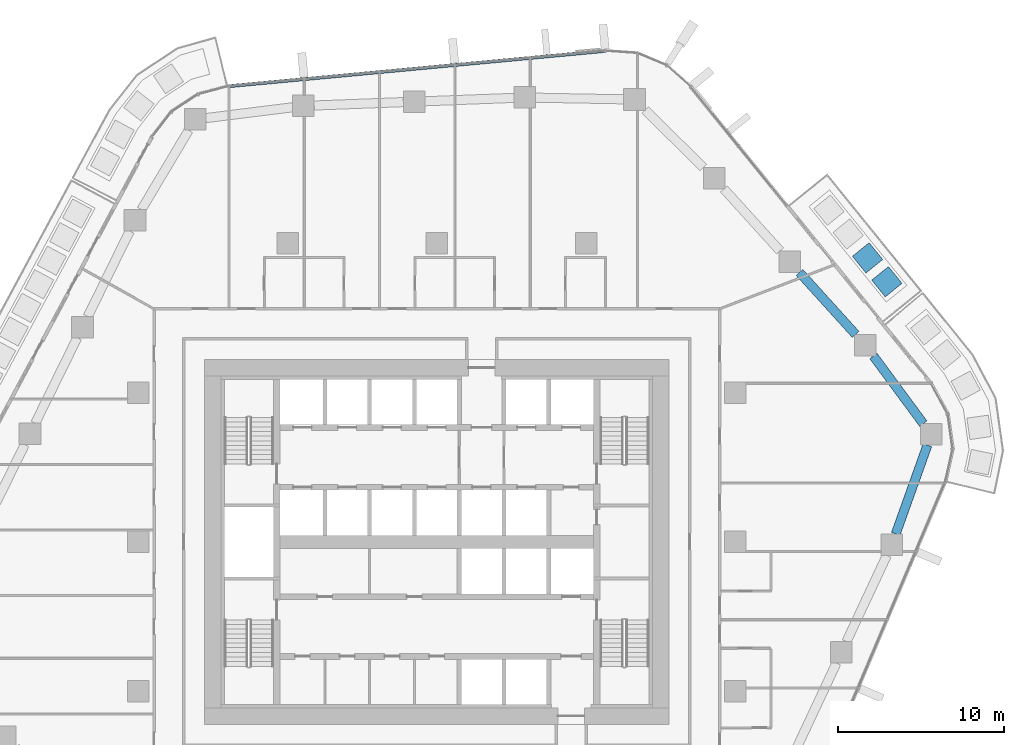
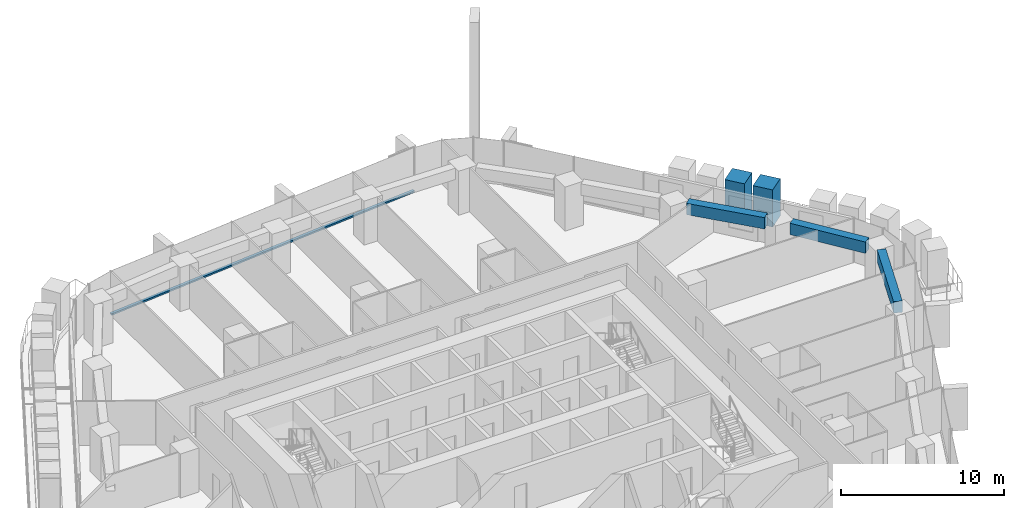
# One storey, part 7 of 24: 3 beams, 3 members, 1 element without a shape of its own.
"""IFC4 building model written with IfcOpenShell, lengths in metres."""

from ifc_helpers import new_model, si_unit, direction, frame, origin, origin_2d, place, context, subcontext, project, spatial, rectangle, extrude, material, layer, layer_set, material_profile, profile_set, type_object, element, aggregate, save


model = new_model("IFC4")

# Units and contexts
model_context = context("Model", 3, precision=1e-05, world=origin(), true_north=direction((0.0, 1.0)))
body_context = subcontext(model_context, "Body", "Model", "MODEL_VIEW")
ifc_project = project(units=[si_unit("LENGTHUNIT", "METRE"), si_unit("AREAUNIT", "SQUARE_METRE"), si_unit("VOLUMEUNIT", "CUBIC_METRE"), si_unit("PLANEANGLEUNIT", "RADIAN"), si_unit("MASSUNIT", "GRAM", prefix="KILO")], contexts=[model_context])

# Site, building, storey
site_placement = place(None, origin())
site = spatial("IfcSite", under=ifc_project, at=site_placement, CompositionType="ELEMENT")
building_placement = place(site_placement, origin())
building = spatial("IfcBuilding", under=site, at=building_placement, Name="Dongbaek Canopy Tower", CompositionType="ELEMENT")
storey_placement = place(building_placement, frame((0.0, 0.0, 117.39990234375)))
storey = spatial("IfcBuildingStorey", under=building, at=storey_placement, Name="L25", CompositionType="ELEMENT", Elevation=117.39990234375)

# Curtain wall, member
ifc_material_1 = material(Name="Aluminium 6063-T6 pale anodised", Category="aluminium")
ifc_layer = layer(ifc_material_1, 0.199951171875)
ifc_layer_set = layer_set([ifc_layer], Name="CW-1 unitised tower curtain wall")
curtain_wall_type = type_object("IfcCurtainWallType", Name="CW-1 unitised tower curtain wall", PredefinedType="NOTDEFINED", material=ifc_layer_set)
curtain_wall_placement = place(storey_placement, origin())
curtain_wall = element("IfcCurtainWall", 1, at=curtain_wall_placement, inside=storey, type_object=curtain_wall_type, Name="CW-1 curtain wall F1.1", PredefinedType="NOTDEFINED")
ifc_material_2 = material(Name="Aluminium 6063-T6 pale anodised", Category="aluminium")
ifc_material_profile_1 = material_profile(ifc_material_2, rectangle(XDim=0.199951171875, YDim=0.1201171875, at=origin_2d()), Name="CW-1 transom 120 x 200")
ifc_profile_set_1 = profile_set([ifc_material_profile_1], Name="Aluminium 6063-T6 pale anodised")
member_type_1 = type_object("IfcMemberType", Name="CW-1 transom 120 x 200", PredefinedType="USERDEFINED", material=ifc_profile_set_1)
member_1_placement = place(storey_placement, frame((10.162353515625, 29.610107421875, 0.06005859375), z_axis=(-0.995629216218, -0.09339413158, 0.0), x_axis=(0.09339413158, -0.995629216218, 0.0)))
member_1 = element("IfcMember", 2, at=member_1_placement, type_object=member_type_1, Name="CW-1 transom F1.1.1", ObjectType="TRANSOM", PredefinedType="USERDEFINED", context=body_context, shape_type="SweptSolid", body=[
    extrude(rectangle(XDim=0.199951171875, YDim=0.1201171875, at=origin_2d()), origin(), (0.0, 0.0, 1.0), 22.792236328125),
])
aggregate(curtain_wall, [member_1])

# Beams
ifc_material_3 = material(Name="Concrete C80", Category="concrete")
ifc_material_profile_2 = material_profile(ifc_material_3, rectangle(XDim=0.550048828125, YDim=0.85009765625, at=origin_2d()), Name="RC EDGE BEAM 550x850 C80")
ifc_profile_set_2 = profile_set([ifc_material_profile_2], Name="Concrete C80")
beam_type = type_object("IfcBeamType", Name="RC EDGE BEAM 550x850 C80", PredefinedType="BEAM", material=ifc_profile_set_2)
beam_1_placement = place(storey_placement, frame((21.86865234375, 16.248046875, 2.875), z_axis=(0.671270897358, -0.74121210349, 0.0), x_axis=(0.74121210349, 0.671270897358, 0.0)))
element("IfcBeam", 3, at=beam_1_placement, inside=storey, type_object=beam_type, Name="EDGEBEAM:L25:19", PredefinedType="BEAM", context=body_context, shape_type="SweptSolid", body=[
    extrude(rectangle(XDim=0.550048828125, YDim=0.85009765625, at=origin_2d()), origin(), (0.0, 0.0, 1.0), 5.04052734375),
])
beam_2_placement = place(storey_placement, frame((26.320556640625, 11.2119140625, 2.875), z_axis=(0.593780308667, -0.804627208736, 0.0), x_axis=(0.804627208736, 0.593780308667, 0.0)))
element("IfcBeam", 4, at=beam_2_placement, inside=storey, type_object=beam_type, Name="EDGEBEAM:L25:20", PredefinedType="BEAM", context=body_context, shape_type="SweptSolid", body=[
    extrude(rectangle(XDim=0.550048828125, YDim=0.85009765625, at=origin_2d()), origin(), (0.0, 0.0, 1.0), 5.070556640625),
])
beam_3_placement = place(storey_placement, frame((29.578857421875, 5.83203125, 2.875), z_axis=(-0.33649709705, -0.941684503258, 0.0), x_axis=(0.941684503258, -0.33649709705, 0.0)))
element("IfcBeam", 5, at=beam_3_placement, inside=storey, type_object=beam_type, Name="EDGEBEAM:L25:21", PredefinedType="BEAM", context=body_context, shape_type="SweptSolid", body=[
    extrude(rectangle(XDim=0.550048828125, YDim=0.85009765625, at=origin_2d()), origin(), (0.0, 0.0, 1.0), 5.677978515625),
])

# Members
ifc_material_4 = material(Name="Concrete C40/50 planter mass with planting", Category="concrete")
ifc_material_profile_3 = material_profile(ifc_material_4, rectangle(XDim=1.300048828125, YDim=1.300048828125, at=origin_2d()), Name="Terrace PLANTER shrub mass 1300 x 1300")
ifc_profile_set_3 = profile_set([ifc_material_profile_3], Name="Concrete C40/50 planter mass with planting")
member_type_2 = type_object("IfcMemberType", Name="Terrace PLANTER shrub mass 1300 x 1300", PredefinedType="USERDEFINED", material=ifc_profile_set_3)
member_2_placement = place(storey_placement, frame((27.134521484375, 15.687255859375, 0.420166015625), z_axis=(0.0, 0.0, 1.0), x_axis=(0.777161000453, 0.629301818982, 0.0)))
element("IfcMember", 6, at=member_2_placement, inside=storey, type_object=member_type_2, Name="Planter shrubs L25 1.1", ObjectType="PLANTER", PredefinedType="USERDEFINED", context=body_context, shape_type="SweptSolid", body=[
    extrude(rectangle(XDim=1.300048828125, YDim=1.300048828125, at=origin_2d()), origin(), (0.0, 0.0, 1.0), 2.780029296875),
])
member_3_placement = place(storey_placement, frame((25.969482421875, 17.1259765625, 0.420166015625), z_axis=(0.0, 0.0, 1.0), x_axis=(0.777161000453, 0.629301818982, 0.0)))
element("IfcMember", 7, at=member_3_placement, inside=storey, type_object=member_type_2, Name="Planter shrubs L25 1.2", ObjectType="PLANTER", PredefinedType="USERDEFINED", context=body_context, shape_type="SweptSolid", body=[
    extrude(rectangle(XDim=1.300048828125, YDim=1.300048828125, at=origin_2d()), origin(), (0.0, 0.0, 1.0), 2.77001953125),
])

save(model, "model.ifc")
